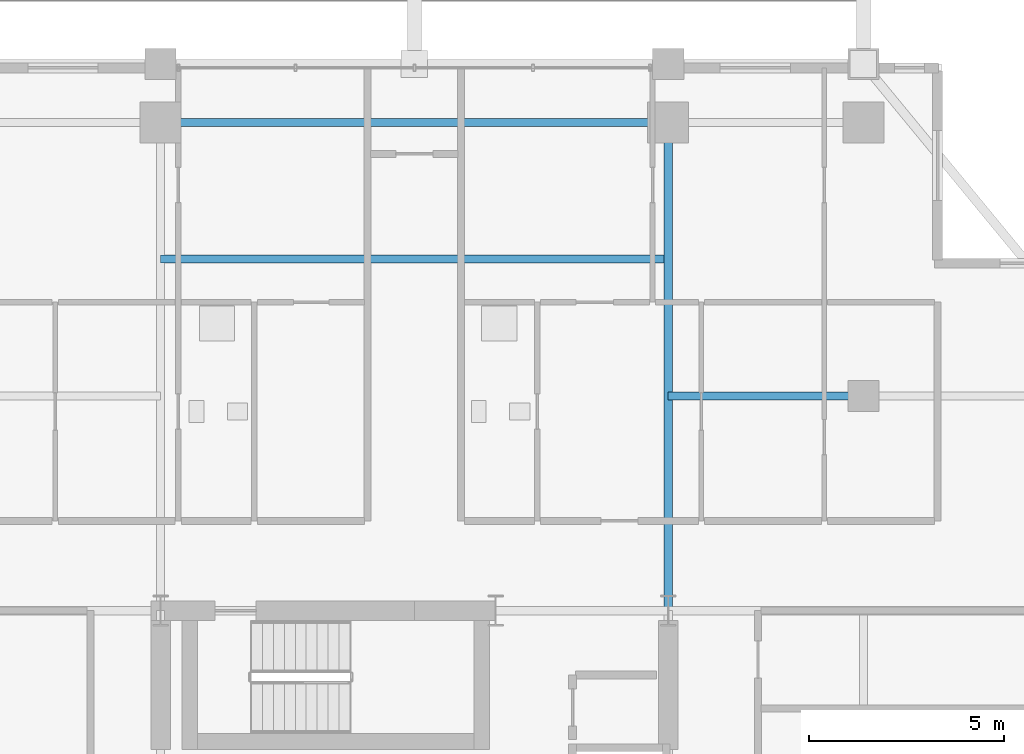
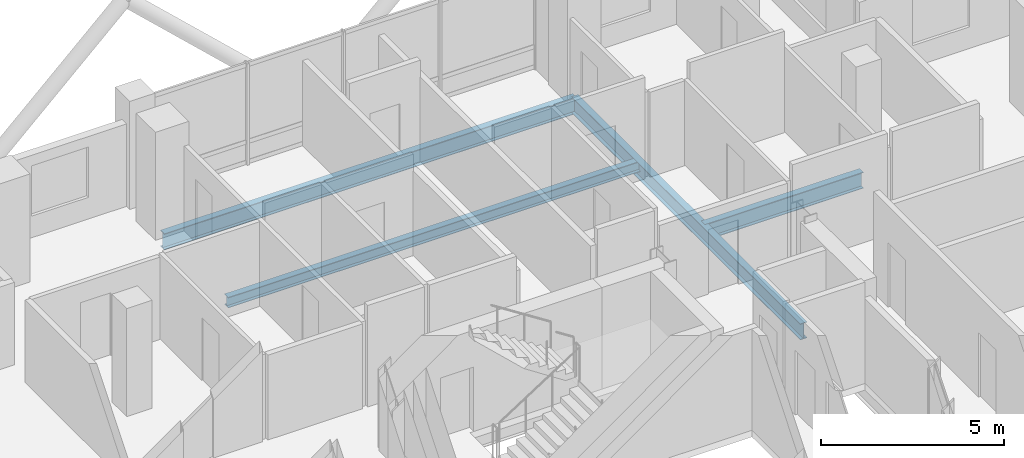
# One storey, part 16 of 26: 4 beams.
"""IFC4 building model written with IfcOpenShell, lengths in metres."""

from ifc_helpers import new_model, si_unit, direction, frame, origin, origin_2d, place, context, subcontext, project, spatial, i_section, extrude, material, material_profile, profile_set, type_object, element, save


model = new_model("IFC4")

# Units and contexts
model_context = context("Model", 3, precision=1e-05, world=origin(), true_north=direction((0.0, 1.0)))
body_context = subcontext(model_context, "Body", "Model", "MODEL_VIEW")
ifc_project = project(units=[si_unit("LENGTHUNIT", "METRE"), si_unit("AREAUNIT", "SQUARE_METRE"), si_unit("VOLUMEUNIT", "CUBIC_METRE"), si_unit("PLANEANGLEUNIT", "RADIAN"), si_unit("MASSUNIT", "GRAM", prefix="KILO")], contexts=[model_context])

# Site, building, storey
site_placement = place(None, origin())
site = spatial("IfcSite", under=ifc_project, at=site_placement, CompositionType="ELEMENT")
building_placement = place(site_placement, origin())
building = spatial("IfcBuilding", under=site, at=building_placement, Name="Barlavira Tower and Art Museum", CompositionType="ELEMENT")
storey_placement = place(building_placement, frame((0.0, 0.0, 187.199951171875)))
storey = spatial("IfcBuildingStorey", under=building, at=storey_placement, Name="L48", CompositionType="ELEMENT", Elevation=187.199951171875)

# Beams
ifc_material = material(Name="Steel S355", Category="steel")
ifc_material_profile_1 = material_profile(ifc_material, i_section(OverallWidth=0.205078125, OverallDepth=0.35400390625, WebThickness=0.009521484375, FlangeThickness=0.016845703125, at=origin_2d()), Name="W360x79.0")
ifc_profile_set_1 = profile_set([ifc_material_profile_1], Name="Steel S355")
beam_type_1 = type_object("IfcBeamType", Name="Zone 3 Composite Floor Joist W360x79 Steel S355", PredefinedType="JOIST", material=ifc_profile_set_1)
beam_1_placement = place(storey_placement, frame((-6.5, 16.5, -0.39697265625), z_axis=(1.0, 0.0, 0.0), x_axis=(0.0, 1.0, 0.0)))
element("IfcBeam", 1, at=beam_1_placement, inside=storey, type_object=beam_type_1, Name="L48 Joist C2", PredefinedType="JOIST", context=body_context, shape_type="SweptSolid", body=[
    extrude(i_section(OverallWidth=0.205078125, OverallDepth=0.35400390625, WebThickness=0.009521484375, FlangeThickness=0.016845703125, at=origin_2d()), origin(), (0.0, 0.0, 1.0), 13.0),
])
ifc_material_profile_2 = material_profile(ifc_material, i_section(OverallWidth=0.2109375, OverallDepth=0.5390625, WebThickness=0.01171875, FlangeThickness=0.018798828125, at=origin_2d()), Name="W530x109.0")
ifc_profile_set_2 = profile_set([ifc_material_profile_2], Name="Steel S355")
beam_type_2 = type_object("IfcBeamType", Name="Zone 3-4 Primary Floor Girder W530x109 Steel S355", PredefinedType="BEAM", material=ifc_profile_set_2)
beam_2_placement = place(storey_placement, frame((-6.5, 20.0, -0.489501953125), z_axis=(1.0, 0.0, 0.0), x_axis=(0.0, 1.0, 0.0)))
element("IfcBeam", 2, at=beam_2_placement, inside=storey, type_object=beam_type_2, Name="L48 Girder M-N2", PredefinedType="BEAM", context=body_context, shape_type="SweptSolid", body=[
    extrude(i_section(OverallWidth=0.2109375, OverallDepth=0.5390625, WebThickness=0.01171875, FlangeThickness=0.018798828125, at=origin_2d()), origin(), (0.0, 0.0, 1.0), 13.0),
])
beam_3_placement = place(storey_placement, frame((6.5, 7.5, -0.489501953125), z_axis=(0.0, 1.0, 0.0), x_axis=(-1.0, 0.0, 0.0)))
element("IfcBeam", 3, at=beam_3_placement, inside=storey, type_object=beam_type_2, Name="L48 Girder R-N2", PredefinedType="BEAM", context=body_context, shape_type="SweptSolid", body=[
    extrude(i_section(OverallWidth=0.2109375, OverallDepth=0.5390625, WebThickness=0.01171875, FlangeThickness=0.018798828125, at=origin_2d()), origin(), (0.0, 0.0, 1.0), 12.5),
])
beam_4_placement = place(storey_placement, frame((6.5, 13.0, -0.489501953125), z_axis=(1.0, 0.0, 0.0), x_axis=(0.0, 1.0, 0.0)))
element("IfcBeam", 4, at=beam_4_placement, inside=storey, type_object=beam_type_2, Name="L48 Girder I-N3", PredefinedType="BEAM", context=body_context, shape_type="SweptSolid", body=[
    extrude(i_section(OverallWidth=0.2109375, OverallDepth=0.5390625, WebThickness=0.01171875, FlangeThickness=0.018798828125, at=origin_2d()), origin(), (0.0, 0.0, 1.0), 5.0),
])

save(model, "model.ifc")
